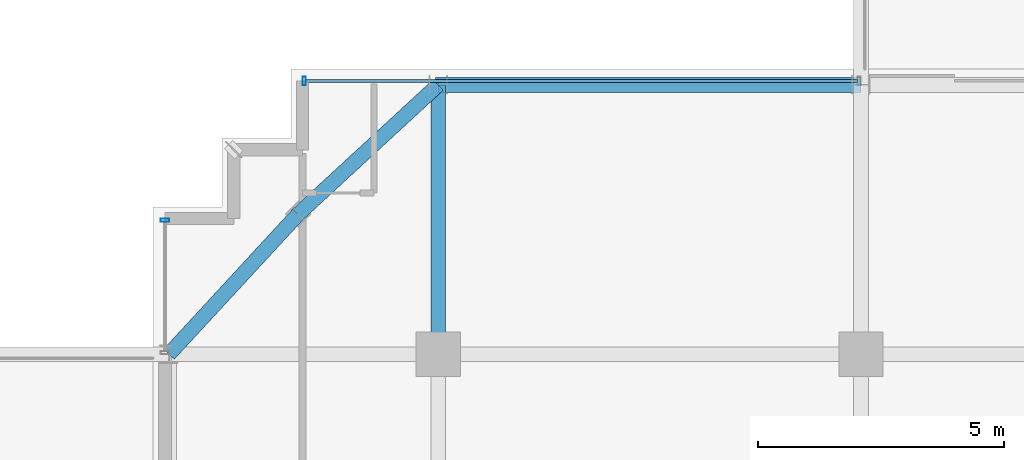
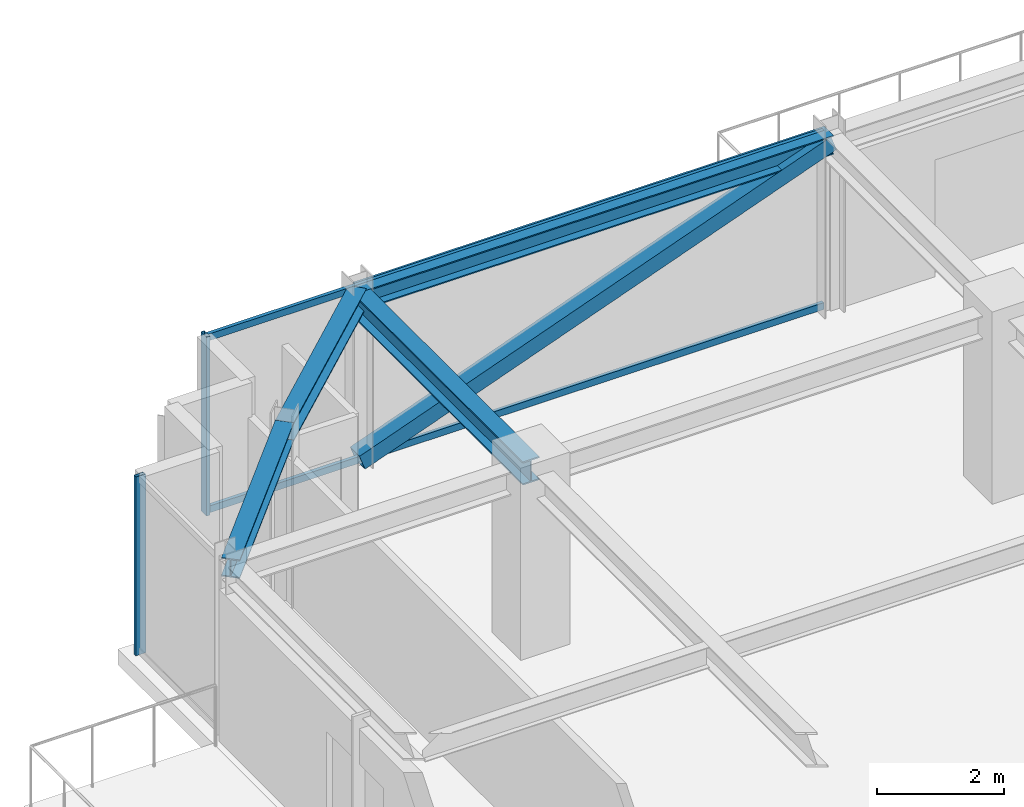
# One storey, part 19 of 36: 5 members, 4 beams, 2 elements without a shape of their own.
"""IFC4 building model written with IfcOpenShell, lengths in metres."""

from ifc_helpers import new_model, si_unit, direction, frame, origin, origin_2d, place, context, subcontext, project, spatial, hollow_rectangle, i_section, extrude, source, transform, mapped, material, material_profile, profile_set, type_object, element, aggregate, save


model = new_model("IFC4")

# Units and contexts
model_context = context("Model", 3, precision=1e-05, world=origin(), true_north=direction((0.0, 1.0)))
body_context = subcontext(model_context, "Body", "Model", "MODEL_VIEW")
ifc_project = project(units=[si_unit("LENGTHUNIT", "METRE"), si_unit("AREAUNIT", "SQUARE_METRE"), si_unit("VOLUMEUNIT", "CUBIC_METRE"), si_unit("PLANEANGLEUNIT", "RADIAN"), si_unit("MASSUNIT", "GRAM", prefix="KILO")], contexts=[model_context])

# Site, building, storey
site_placement = place(None, origin())
site = spatial("IfcSite", under=ifc_project, at=site_placement, CompositionType="ELEMENT")
building_placement = place(site_placement, origin())
building = spatial("IfcBuilding", under=site, at=building_placement, Name="Nahalor Promenade Grand Hotel", CompositionType="ELEMENT")
storey_placement = place(building_placement, frame((0.0, 0.0, 273.800048828125)))
storey = spatial("IfcBuildingStorey", under=building, at=storey_placement, Name="L70", CompositionType="ELEMENT", Elevation=273.800048828125)

# Beams
ifc_material_1 = material(Name="Steel S355JR", Category="steel")
ifc_material_profile_1 = material_profile(ifc_material_1, i_section(OverallWidth=0.3, OverallDepth=0.45, WebThickness=0.014, FlangeThickness=0.026, at=origin_2d()), Name="HEB 450")
ifc_profile_set_1 = profile_set([ifc_material_profile_1], Name="Steel S355JR")
beam_type_1 = type_object("IfcBeamType", Name="Beam-Girder-HEB450", PredefinedType="BEAM", material=ifc_profile_set_1)
shared_shape_1 = source(origin(), body_context, "Body", "SweptSolid", [
    extrude(i_section(OverallWidth=0.3, OverallDepth=0.45, WebThickness=0.014, FlangeThickness=0.026, at=origin_2d()), origin(), (0.0, 0.0, 1.0), 5.47998046875),
])
beam_1_placement = place(storey_placement, frame((-17.0, 17.0, 3.224853515625), z_axis=(0.0, 1.0, 0.0), x_axis=(-1.0, 0.0, 0.0)))
element("IfcBeam", 1, at=beam_1_placement, inside=storey, type_object=beam_type_1, Name="BM-L70-GY-0-4", PredefinedType="BEAM", context=body_context, shape_type="MappedRepresentation", body=[
    mapped(shared_shape_1, transform((0.0, 0.0, 0.0), scale=1.0)),
])
ifc_material_profile_2 = material_profile(ifc_material_1, i_section(OverallWidth=0.3, OverallDepth=0.36, WebThickness=0.0125, FlangeThickness=0.0225, at=origin_2d()), Name="HEB 360")
ifc_profile_set_2 = profile_set([ifc_material_profile_2], Name="Steel S355JR")
beam_type_2 = type_object("IfcBeamType", Name="Beam-Spandrel-HEB360", PredefinedType="SPANDREL", material=ifc_profile_set_2)
shared_shape_2 = source(origin(), body_context, "Body", "SweptSolid", [
    extrude(i_section(OverallWidth=0.3, OverallDepth=0.36, WebThickness=0.0125, FlangeThickness=0.0225, at=origin_2d()), origin(), (0.0, 0.0, 1.0), 8.60009765625),
])
beam_2_placement = place(storey_placement, frame((-17.0, 22.47998046875, 3.27001953125), z_axis=(1.0, 0.0, 0.0), x_axis=(0.0, 1.0, 0.0)))
element("IfcBeam", 2, at=beam_2_placement, inside=storey, type_object=beam_type_2, Name="BM-L70-SP-N-0", PredefinedType="SPANDREL", context=body_context, shape_type="MappedRepresentation", body=[
    mapped(shared_shape_2, transform((0.0, 0.0, 0.0), scale=1.0)),
])
shared_shape_3 = source(origin(), body_context, "Body", "SweptSolid", [
    extrude(i_section(OverallWidth=0.3, OverallDepth=0.36, WebThickness=0.0125, FlangeThickness=0.0225, at=origin_2d()), origin(), (0.0, 0.0, 1.0), 3.878173828125),
])
for number, where, z_axis, x_axis, name in (
    (3, (-17.0, 22.47998046875, 3.27001953125), (-0.73492893846, -0.678144125843, 0.0), (0.678144125843, -0.73492893846, 0.0), "BM-L70-SPC-NW-1"),
    (4, (-19.85009765625, 19.85009765625, 3.27001953125), (-0.678144125843, -0.73492893846, 0.0), (0.73492893846, -0.678144125843, 0.0), "BM-L70-SPC-NW-2"),
):
    element("IfcBeam", number, at=place(storey_placement, frame(where, z_axis=z_axis, x_axis=x_axis)), inside=storey, type_object=beam_type_2, Name=name, PredefinedType="SPANDREL", context=body_context, shape_type="MappedRepresentation", body=[
        mapped(shared_shape_3, transform((0.0, 0.0, 0.0), scale=1.0)),
    ])

# Member
ifc_material_profile_3 = material_profile(ifc_material_1, hollow_rectangle(XDim=0.3, YDim=0.3, WallThickness=0.016, at=origin_2d()), Name="SHS 300x300x16")
ifc_profile_set_3 = profile_set([ifc_material_profile_3], Name="Steel S355JR")
member_type_1 = type_object("IfcMemberType", Name="Mem-CrownBrace-SHS300", PredefinedType="BRACE", material=ifc_profile_set_3)
shared_shape_4 = source(origin(), body_context, "Body", "SweptSolid", [
    extrude(hollow_rectangle(XDim=0.3, YDim=0.3, WallThickness=0.016, at=origin_2d()), origin(), (0.0, 0.0, 1.0), 9.158935546875),
])
member_1_placement = place(storey_placement, frame((-17.0, 22.47998046875, 0.14990234375), z_axis=(0.938989990654, 0.0, 0.343944468558), x_axis=(0.0, 1.0, 0.0)))
element("IfcMember", 5, at=member_1_placement, inside=storey, type_object=member_type_1, Name="EXO-L70-N-0", PredefinedType="BRACE", context=body_context, shape_type="MappedRepresentation", body=[
    mapped(shared_shape_4, transform((0.0, 0.0, 0.0), scale=1.0)),
])

# Curtain wall, member
ifc_material_2 = material(Name="Anodised Bronze Aluminium EN AW-6063 T6", Category="aluminium")
curtain_wall_type = type_object("IfcCurtainWallType", Name="CW2 Typical Hotel Flush Bronze Unitised Curtain Wall", PredefinedType="USERDEFINED", material=ifc_material_2)
curtain_wall_1_placement = place(storey_placement, origin())
curtain_wall_1 = element("IfcCurtainWall", 6, at=curtain_wall_1_placement, inside=storey, type_object=curtain_wall_type, Name="L70 Curtain Wall CW-L70-N-1", ObjectType="UNITISED_CURTAIN_WALL", PredefinedType="USERDEFINED")
ifc_material_profile_4 = material_profile(ifc_material_2, hollow_rectangle(XDim=0.065, YDim=0.18, WallThickness=0.004, at=origin_2d()), Name="CWM 65x180x4")
ifc_profile_set_4 = profile_set([ifc_material_profile_4], Name="Anodised Bronze Aluminium EN AW-6063 T6")
member_type_2 = type_object("IfcMemberType", Name="CWM2 Typical Bronze Mullion 65x180", PredefinedType="MULLION", material=ifc_profile_set_4)
shared_shape_5 = source(origin(), body_context, "Body", "SweptSolid", [
    extrude(hollow_rectangle(XDim=0.065, YDim=0.18, WallThickness=0.004, at=origin_2d()), origin(), (0.0, 0.0, 1.0), 3.449951171875),
])
member_2_placement = place(storey_placement, frame((-19.7275390625, 22.56005859375, 0.0), z_axis=(0.0, 0.0, 1.0), x_axis=(1.0, 0.0, 0.0)))
member_2 = element("IfcMember", 7, at=member_2_placement, type_object=member_type_2, Name="CW-L70-N-1 Mullion 0", PredefinedType="MULLION", context=body_context, shape_type="MappedRepresentation", body=[
    mapped(shared_shape_5, transform((0.0, 0.0, 0.0), scale=1.0)),
])

curtain_wall_2_placement = place(storey_placement, origin())
curtain_wall_2 = element("IfcCurtainWall", 8, at=curtain_wall_2_placement, inside=storey, type_object=curtain_wall_type, Name="L70 Curtain Wall CW-L70-W-3", ObjectType="UNITISED_CURTAIN_WALL", PredefinedType="USERDEFINED")
member_3_placement = place(storey_placement, frame((-22.56005859375, 19.7275390625, 0.0), z_axis=(0.0, 0.0, 1.0), x_axis=(0.0, 1.0, 0.0)))
member_3 = element("IfcMember", 9, at=member_3_placement, type_object=member_type_2, Name="CW-L70-W-3 Mullion 1", PredefinedType="MULLION", context=body_context, shape_type="MappedRepresentation", body=[
    mapped(shared_shape_5, transform((0.0, 0.0, 0.0), scale=1.0)),
])
aggregate(curtain_wall_2, [member_3])

# Member
ifc_material_profile_5 = material_profile(ifc_material_2, hollow_rectangle(XDim=0.065, YDim=0.13, WallThickness=0.004, at=origin_2d()), Name="CWT 65x130x4")
ifc_profile_set_5 = profile_set([ifc_material_profile_5], Name="Anodised Bronze Aluminium EN AW-6063 T6")
member_type_3 = type_object("IfcMemberType", Name="CWT2 Typical Bronze Transom 65x130", PredefinedType="USERDEFINED", material=ifc_profile_set_5)
shared_shape_6 = source(origin(), body_context, "Body", "SweptSolid", [
    extrude(hollow_rectangle(XDim=0.065, YDim=0.13, WallThickness=0.004, at=origin_2d()), origin(), (0.0, 0.0, 1.0), 11.22998046875),
])
member_4_placement = place(storey_placement, frame((-19.695068359375, 22.56005859375, 0.06494140625), z_axis=(1.0, 0.0, 0.0), x_axis=(0.0, 1.0, 0.0)))
member_4 = element("IfcMember", 10, at=member_4_placement, type_object=member_type_3, Name="CW-L70-N-1 Transom 0-0", ObjectType="TRANSOM", PredefinedType="USERDEFINED", context=body_context, shape_type="MappedRepresentation", body=[
    mapped(shared_shape_6, transform((0.0, 0.0, 0.0), scale=1.0)),
])

member_5_placement = place(storey_placement, frame((-19.695068359375, 22.56005859375, 3.385009765625), z_axis=(1.0, 0.0, 0.0), x_axis=(0.0, 1.0, 0.0)))
member_5 = element("IfcMember", 11, at=member_5_placement, type_object=member_type_3, Name="CW-L70-N-1 Transom 0-1", ObjectType="TRANSOM", PredefinedType="USERDEFINED", context=body_context, shape_type="MappedRepresentation", body=[
    mapped(shared_shape_6, transform((0.0, 0.0, 0.0), scale=1.0)),
])

aggregate(curtain_wall_1, [member_2, member_4, member_5])

save(model, "model.ifc")
